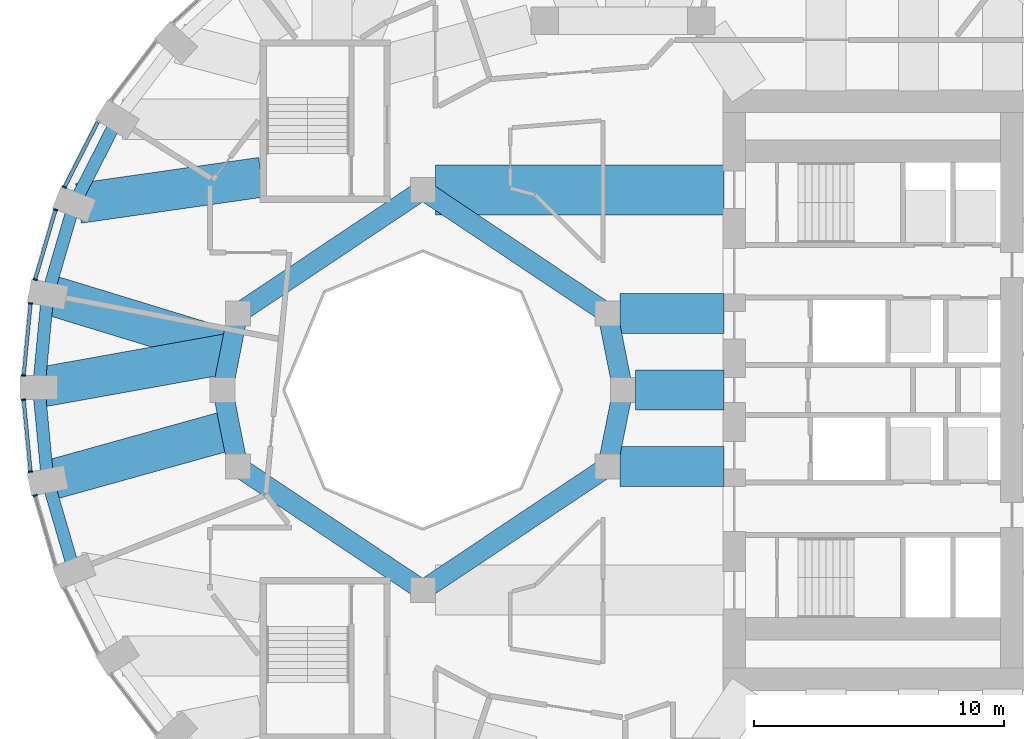
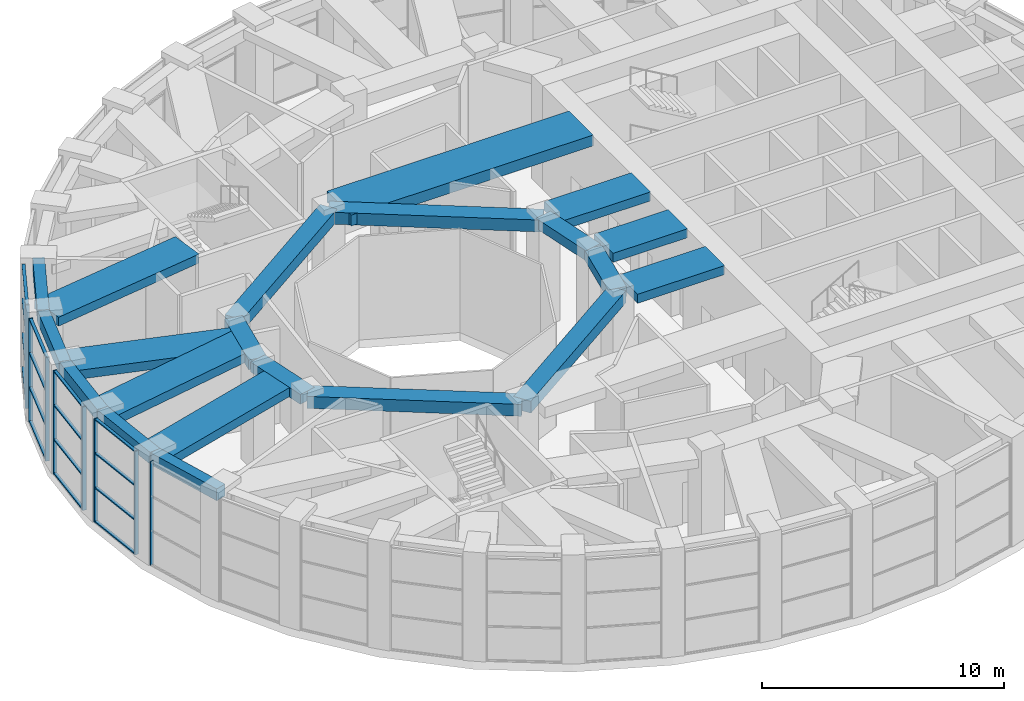
# One storey, part 4 of 17: 24 members, 21 beams, 5 elements without a shape of their own.
"""IFC4 building model written with IfcOpenShell, lengths in metres."""

from ifc_helpers import new_model, si_unit, direction, frame, origin, origin_2d, place, context, subcontext, project, spatial, rectangle, extrude, material, material_profile, profile_set, type_object, element, aggregate, save


model = new_model("IFC4")

# Units and contexts
model_context = context("Model", 3, precision=1e-05, world=origin(), true_north=direction((0.0, 1.0)))
body_context = subcontext(model_context, "Body", "Model", "MODEL_VIEW")
ifc_project = project(units=[si_unit("LENGTHUNIT", "METRE"), si_unit("AREAUNIT", "SQUARE_METRE"), si_unit("VOLUMEUNIT", "CUBIC_METRE"), si_unit("PLANEANGLEUNIT", "RADIAN"), si_unit("MASSUNIT", "GRAM", prefix="KILO")], contexts=[model_context])

# Site, building, storey
site_placement = place(None, origin())
site = spatial("IfcSite", under=ifc_project, at=site_placement, CompositionType="ELEMENT")
building_placement = place(site_placement, origin())
building = spatial("IfcBuilding", under=site, at=building_placement, Name="Taillehof Tower", CompositionType="ELEMENT")
storey_placement = place(building_placement, frame((0.0, 0.0, 139.60009765625)))
storey = spatial("IfcBuildingStorey", under=building, at=storey_placement, Name="L39", CompositionType="ELEMENT", Elevation=139.60009765625)

# Beams
ifc_material_1 = material(Name="Concrete C50/60", Category="concrete")
ifc_material_profile_1 = material_profile(ifc_material_1, rectangle(XDim=0.800048828125, YDim=0.5, at=origin_2d()), Name="RC 800x500")
ifc_profile_set_1 = profile_set([ifc_material_profile_1], Name="Concrete C50/60")
beam_type_1 = type_object("IfcBeamType", Name="Atrium ring beam C50/60 800x500", PredefinedType="BEAM", material=ifc_profile_set_1)
for number, where, z_axis, x_axis, name in (
    (1, (0.0, 0.0, 4.969970703125), (-0.195063155143, 0.980790683839, 0.0), (-0.980790683839, -0.195063155143, 0.0), "Atrium ring beam AB01"),
    (2, (-15.39111328125, 3.0615234375, 4.969970703125), (-0.195063155143, -0.980790683839, 0.0), (0.980790683839, -0.195063155143, 0.0), "Atrium ring beam AB04"),
    (3, (-16.0, 0.0, 4.969970703125), (0.195063155143, -0.980790683839, 0.0), (0.980790683839, 0.195063155143, 0.0), "Atrium ring beam AB05"),
    (4, (-0.60888671875, -3.0615234375, 4.969970703125), (0.195063155143, 0.980790683839, 0.0), (-0.980790683839, 0.195063155143, 0.0), "Atrium ring beam AB08"),
):
    element("IfcBeam", number, at=place(storey_placement, frame(where, z_axis=z_axis, x_axis=x_axis)), inside=storey, type_object=beam_type_1, Name=name, PredefinedType="BEAM", context=body_context, shape_type="SweptSolid", body=[
        extrude(rectangle(XDim=0.800048828125, YDim=0.5, at=origin_2d()), origin(), (0.0, 0.0, 1.0), 3.12158203125),
    ])
ifc_material_2 = material(Name="Concrete C50/60", Category="concrete")
ifc_material_profile_2 = material_profile(ifc_material_2, rectangle(XDim=0.800048828125, YDim=0.60009765625, at=origin_2d()), Name="RC 800x600")
ifc_profile_set_2 = profile_set([ifc_material_profile_2], Name="Concrete C50/60")
beam_type_2 = type_object("IfcBeamType", Name="Atrium ring beam C50/60 800x600", PredefinedType="BEAM", material=ifc_profile_set_2)
for number, where, z_axis, x_axis, name in (
    (5, (-0.60888671875, 3.0615234375, 4.919921875), (-0.831475195687, 0.555561876804, 0.0), (-0.555561876804, -0.831475195687, 0.0), "Atrium ring beam AB02"),
    (6, (-8.0, 8.0, 4.919921875), (-0.831475195687, -0.555561876804, 0.0), (0.555561876804, -0.831475195687, 0.0), "Atrium ring beam AB03"),
    (7, (-15.39111328125, -3.0615234375, 4.919921875), (0.831475195687, -0.555561876804, 0.0), (0.555561876804, 0.831475195687, 0.0), "Atrium ring beam AB06"),
    (8, (-8.0, -8.0, 4.919921875), (0.831475195687, 0.555561876804, 0.0), (-0.555561876804, 0.831475195687, 0.0), "Atrium ring beam AB07"),
):
    element("IfcBeam", number, at=place(storey_placement, frame(where, z_axis=z_axis, x_axis=x_axis)), inside=storey, type_object=beam_type_2, Name=name, PredefinedType="BEAM", context=body_context, shape_type="SweptSolid", body=[
        extrude(rectangle(XDim=0.800048828125, YDim=0.60009765625, at=origin_2d()), origin(), (0.0, 0.0, 1.0), 8.88916015625),
    ])
ifc_material_3 = material(Name="Concrete C50/60", Category="concrete")
ifc_material_profile_3 = material_profile(ifc_material_3, rectangle(XDim=1.60009765625, YDim=0.449951171875, at=origin_2d()), Name="RC 1600x450")
ifc_profile_set_3 = profile_set([ifc_material_profile_3], Name="Concrete C50/60")
beam_type_3 = type_object("IfcBeamType", Name="Radial band beam C50/60 1600x450", PredefinedType="BEAM", material=ifc_profile_set_3)
beam_1_placement = place(storey_placement, frame((-21.766845703125, 7.46044921875, 4.994873046875), z_axis=(0.989922388732, 0.141610961042, 0.0), x_axis=(-0.141610961042, 0.989922388732, 0.0)))
element("IfcBeam", 9, at=beam_1_placement, inside=storey, type_object=beam_type_3, Name="Radial band beam RB17", PredefinedType="BEAM", context=body_context, shape_type="SweptSolid", body=[
    extrude(rectangle(XDim=1.60009765625, YDim=0.449951171875, at=origin_2d()), origin(), (0.0, 0.0, 1.0), 7.390869140625),
])
beam_2_placement = place(storey_placement, frame((-22.99365234375, 3.82470703125, 4.994873046875), z_axis=(0.956324293447, -0.292307792854, 0.0), x_axis=(0.292307792854, 0.956324293447, 0.0)))
element("IfcBeam", 10, at=beam_2_placement, inside=storey, type_object=beam_type_3, Name="Radial band beam RB18", PredefinedType="BEAM", context=body_context, shape_type="SweptSolid", body=[
    extrude(rectangle(XDim=1.60009765625, YDim=0.449951171875, at=origin_2d()), origin(), (0.0, 0.0, 1.0), 7.643798828125),
])
beam_3_placement = place(storey_placement, frame((-23.35009765625, 0.10009765625, 4.994873046875), z_axis=(0.984286763882, 0.176577366745, 0.0), x_axis=(-0.176577366745, 0.984286763882, 0.0)))
element("IfcBeam", 11, at=beam_3_placement, inside=storey, type_object=beam_type_3, Name="Radial band beam RB19", PredefinedType="BEAM", context=body_context, shape_type="SweptSolid", body=[
    extrude(rectangle(XDim=1.60009765625, YDim=0.449951171875, at=origin_2d()), origin(), (0.0, 0.0, 1.0), 7.764892578125),
])
beam_4_placement = place(storey_placement, frame((-22.99365234375, -3.624755859375, 4.994873046875), z_axis=(0.96338688135, 0.268115118639, 0.0), x_axis=(-0.268115118639, 0.96338688135, 0.0)))
element("IfcBeam", 12, at=beam_4_placement, inside=storey, type_object=beam_type_3, Name="Radial band beam RB20", PredefinedType="BEAM", context=body_context, shape_type="SweptSolid", body=[
    extrude(rectangle(XDim=1.60009765625, YDim=0.449951171875, at=origin_2d()), origin(), (0.0, 0.0, 1.0), 7.587890625),
])
beam_5_placement = place(storey_placement, frame((0.5, 0.0, 4.994873046875), z_axis=(1.0, 0.0, 0.0), x_axis=(0.0, 1.0, 0.0)))
element("IfcBeam", 13, at=beam_5_placement, inside=storey, type_object=beam_type_3, Name="Inner band beam IB101", PredefinedType="BEAM", context=body_context, shape_type="SweptSolid", body=[
    extrude(rectangle(XDim=1.60009765625, YDim=0.449951171875, at=origin_2d()), origin(), (0.0, 0.0, 1.0), 3.550048828125),
])
for number, where, z_axis, x_axis, name in (
    (14, (-0.10888671875, 3.0615234375, 4.994873046875), (1.0, 0.0, 0.0), (0.0, 1.0, 0.0), "Inner band beam IB102"),
    (15, (-0.10888671875, -3.0615234375, 4.994873046875), (1.0, 0.0, 0.0), (0.0, 1.0, 0.0), "Inner band beam IB116"),
):
    element("IfcBeam", number, at=place(storey_placement, frame(where, z_axis=z_axis, x_axis=x_axis)), inside=storey, type_object=beam_type_3, Name=name, PredefinedType="BEAM", context=body_context, shape_type="SweptSolid", body=[
        extrude(rectangle(XDim=1.60009765625, YDim=0.449951171875, at=origin_2d()), origin(), (0.0, 0.0, 1.0), 4.158935546875),
    ])
ifc_material_4 = material(Name="Concrete C50/60", Category="concrete")
ifc_material_profile_4 = material_profile(ifc_material_4, rectangle(XDim=2.0, YDim=0.550048828125, at=origin_2d()), Name="RC 2000x550")
ifc_profile_set_4 = profile_set([ifc_material_profile_4], Name="Concrete C50/60")
beam_type_4 = type_object("IfcBeamType", Name="Radial band beam C50/60 2000x550", PredefinedType="BEAM", material=ifc_profile_set_4)
beam_6_placement = place(storey_placement, frame((-7.5, 8.0, 4.94482421875), z_axis=(1.0, 0.0, 0.0), x_axis=(0.0, 1.0, 0.0)))
element("IfcBeam", 16, at=beam_6_placement, inside=storey, type_object=beam_type_4, Name="Inner band beam IB105", PredefinedType="BEAM", context=body_context, shape_type="SweptSolid", body=[
    extrude(rectangle(XDim=2.0, YDim=0.550048828125, at=origin_2d()), origin(), (0.0, 0.0, 1.0), 11.550048828125),
])

# Curtain wall, member
ifc_material_5 = material(Name="Aluminium curtain wall with Clear low-emissivity double glazing", Category="aluminium")
curtain_wall_type = type_object("IfcCurtainWallType", Name="Sky lobby curtain wall", PredefinedType="USERDEFINED", material=ifc_material_5)
curtain_wall_1_placement = place(storey_placement, origin())
curtain_wall_1 = element("IfcCurtainWall", 17, at=curtain_wall_1_placement, inside=storey, type_object=curtain_wall_type, Name="Sky lobby L39 bay 16", ObjectType="WINDOW WALL", PredefinedType="USERDEFINED")
ifc_material_6 = material(Name="Aluminium mullion", Category="aluminium")
ifc_material_profile_5 = material_profile(ifc_material_6, rectangle(XDim=0.179931640625, YDim=0.06005859375, at=origin_2d()), Name="AL 60x180")
ifc_profile_set_5 = profile_set([ifc_material_profile_5], Name="Aluminium mullion")
member_type_1 = type_object("IfcMemberType", Name="Sky lobby mullion 60x180", PredefinedType="MULLION", material=ifc_profile_set_5)
member_1_placement = place(storey_placement, frame((-22.318359375, 8.10986328125, 0.0), z_axis=(0.0, 0.0, 1.0), x_axis=(0.890939920431, -0.454121193276, 0.0)))
member_1 = element("IfcMember", 18, at=member_1_placement, type_object=member_type_1, Name="CT3C16 mullion 2", PredefinedType="MULLION", context=body_context, shape_type="SweptSolid", body=[
    extrude(rectangle(XDim=0.179931640625, YDim=0.06005859375, at=origin_2d()), origin(), (0.0, 0.0, 1.0), 5.219970703125),
])

# Curtain wall, members
curtain_wall_2_placement = place(storey_placement, origin())
curtain_wall_2 = element("IfcCurtainWall", 19, at=curtain_wall_2_placement, inside=storey, type_object=curtain_wall_type, Name="Sky lobby L39 bay 17", ObjectType="WINDOW WALL", PredefinedType="USERDEFINED")
member_2_placement = place(storey_placement, frame((-22.676513671875, 7.20849609375, 0.0), z_axis=(0.0, 0.0, 1.0), x_axis=(0.959684454665, -0.281079610563, 0.0)))
member_2 = element("IfcMember", 20, at=member_2_placement, type_object=member_type_1, Name="CT3C17 mullion 1", PredefinedType="MULLION", context=body_context, shape_type="SweptSolid", body=[
    extrude(rectangle(XDim=0.179931640625, YDim=0.06005859375, at=origin_2d()), origin(), (0.0, 0.0, 1.0), 5.219970703125),
])
member_3_placement = place(storey_placement, frame((-23.49462890625, 4.414794921875, 0.0), z_axis=(0.0, 0.0, 1.0), x_axis=(0.959684454665, -0.281079610563, 0.0)))
member_3 = element("IfcMember", 21, at=member_3_placement, type_object=member_type_1, Name="CT3C17 mullion 2", PredefinedType="MULLION", context=body_context, shape_type="SweptSolid", body=[
    extrude(rectangle(XDim=0.179931640625, YDim=0.06005859375, at=origin_2d()), origin(), (0.0, 0.0, 1.0), 5.219970703125),
])

curtain_wall_3_placement = place(storey_placement, origin())
curtain_wall_3 = element("IfcCurtainWall", 22, at=curtain_wall_3_placement, inside=storey, type_object=curtain_wall_type, Name="Sky lobby L39 bay 18", ObjectType="WINDOW WALL", PredefinedType="USERDEFINED")
member_4_placement = place(storey_placement, frame((-23.677978515625, 3.46240234375, 0.0), z_axis=(0.0, 0.0, 1.0), x_axis=(0.995458478328, -0.095196732748, 0.0)))
member_4 = element("IfcMember", 23, at=member_4_placement, type_object=member_type_1, Name="CT3C18 mullion 1", PredefinedType="MULLION", context=body_context, shape_type="SweptSolid", body=[
    extrude(rectangle(XDim=0.179931640625, YDim=0.06005859375, at=origin_2d()), origin(), (0.0, 0.0, 1.0), 5.219970703125),
])
member_5_placement = place(storey_placement, frame((-23.953125, 0.5849609375, 0.0), z_axis=(0.0, 0.0, 1.0), x_axis=(0.995458478328, -0.095196732748, 0.0)))
member_5 = element("IfcMember", 24, at=member_5_placement, type_object=member_type_1, Name="CT3C18 mullion 2", PredefinedType="MULLION", context=body_context, shape_type="SweptSolid", body=[
    extrude(rectangle(XDim=0.179931640625, YDim=0.06005859375, at=origin_2d()), origin(), (0.0, 0.0, 1.0), 5.219970703125),
])

curtain_wall_4_placement = place(storey_placement, origin())
curtain_wall_4 = element("IfcCurtainWall", 25, at=curtain_wall_4_placement, inside=storey, type_object=curtain_wall_type, Name="Sky lobby L39 bay 19", ObjectType="WINDOW WALL", PredefinedType="USERDEFINED")
member_6_placement = place(storey_placement, frame((-23.953125, -0.385009765625, 0.0), z_axis=(0.0, 0.0, 1.0), x_axis=(0.995458478328, 0.095196732748, 0.0)))
member_6 = element("IfcMember", 26, at=member_6_placement, type_object=member_type_1, Name="CT3C19 mullion 1", PredefinedType="MULLION", context=body_context, shape_type="SweptSolid", body=[
    extrude(rectangle(XDim=0.179931640625, YDim=0.06005859375, at=origin_2d()), origin(), (0.0, 0.0, 1.0), 5.219970703125),
])
member_7_placement = place(storey_placement, frame((-23.677978515625, -3.262451171875, 0.0), z_axis=(0.0, 0.0, 1.0), x_axis=(0.995458478328, 0.095196732748, 0.0)))
member_7 = element("IfcMember", 27, at=member_7_placement, type_object=member_type_1, Name="CT3C19 mullion 2", PredefinedType="MULLION", context=body_context, shape_type="SweptSolid", body=[
    extrude(rectangle(XDim=0.179931640625, YDim=0.06005859375, at=origin_2d()), origin(), (0.0, 0.0, 1.0), 5.219970703125),
])

# Curtain wall, member
curtain_wall_5_placement = place(storey_placement, origin())
curtain_wall_5 = element("IfcCurtainWall", 28, at=curtain_wall_5_placement, inside=storey, type_object=curtain_wall_type, Name="Sky lobby L39 bay 20", ObjectType="WINDOW WALL", PredefinedType="USERDEFINED")
member_8_placement = place(storey_placement, frame((-23.49462890625, -4.21484375, 0.0), z_axis=(0.0, 0.0, 1.0), x_axis=(0.959684454665, 0.281079610563, 0.0)))
member_8 = element("IfcMember", 29, at=member_8_placement, type_object=member_type_1, Name="CT3C20 mullion 1", PredefinedType="MULLION", context=body_context, shape_type="SweptSolid", body=[
    extrude(rectangle(XDim=0.179931640625, YDim=0.06005859375, at=origin_2d()), origin(), (0.0, 0.0, 1.0), 5.219970703125),
])
aggregate(curtain_wall_5, [member_8])

# Member
ifc_material_7 = material(Name="Aluminium transom", Category="aluminium")
ifc_material_profile_6 = material_profile(ifc_material_7, rectangle(XDim=0.139892578125, YDim=0.06005859375, at=origin_2d()), Name="AL 140x60")
ifc_profile_set_6 = profile_set([ifc_material_profile_6], Name="Aluminium transom")
member_type_2 = type_object("IfcMemberType", Name="Sky lobby transom 140x60", PredefinedType="USERDEFINED", material=ifc_profile_set_6)
member_9_placement = place(storey_placement, frame((-20.992919921875, 10.71044921875, 0.02978515625), z_axis=(-0.454062498764, -0.890969835189, 0.0), x_axis=(0.890969835189, -0.454062498764, 0.0)))
member_9 = element("IfcMember", 30, at=member_9_placement, type_object=member_type_2, Name="CT3C16 transom 1.1", ObjectType="TRANSOM", PredefinedType="USERDEFINED", context=body_context, shape_type="SweptSolid", body=[
    extrude(rectangle(XDim=0.139892578125, YDim=0.06005859375, at=origin_2d()), origin(), (0.0, 0.0, 1.0), 2.888916015625),
])

member_10_placement = place(storey_placement, frame((-20.992919921875, 10.71044921875, 1.739990234375), z_axis=(-0.454062498764, -0.890969835189, 0.0), x_axis=(0.890969835189, -0.454062498764, 0.0)))
member_10 = element("IfcMember", 31, at=member_10_placement, type_object=member_type_2, Name="CT3C16 transom 1.2", ObjectType="TRANSOM", PredefinedType="USERDEFINED", context=body_context, shape_type="SweptSolid", body=[
    extrude(rectangle(XDim=0.139892578125, YDim=0.06005859375, at=origin_2d()), origin(), (0.0, 0.0, 1.0), 2.888916015625),
])

member_11_placement = place(storey_placement, frame((-20.992919921875, 10.71044921875, 3.47998046875), z_axis=(-0.454062498764, -0.890969835189, 0.0), x_axis=(0.890969835189, -0.454062498764, 0.0)))
member_11 = element("IfcMember", 32, at=member_11_placement, type_object=member_type_2, Name="CT3C16 transom 1.3", ObjectType="TRANSOM", PredefinedType="USERDEFINED", context=body_context, shape_type="SweptSolid", body=[
    extrude(rectangle(XDim=0.139892578125, YDim=0.06005859375, at=origin_2d()), origin(), (0.0, 0.0, 1.0), 2.888916015625),
])

member_12_placement = place(storey_placement, frame((-20.992919921875, 10.71044921875, 5.18994140625), z_axis=(-0.454062498764, -0.890969835189, 0.0), x_axis=(0.890969835189, -0.454062498764, 0.0)))
member_12 = element("IfcMember", 33, at=member_12_placement, type_object=member_type_2, Name="CT3C16 transom 1.4", ObjectType="TRANSOM", PredefinedType="USERDEFINED", context=body_context, shape_type="SweptSolid", body=[
    extrude(rectangle(XDim=0.139892578125, YDim=0.06005859375, at=origin_2d()), origin(), (0.0, 0.0, 1.0), 2.888916015625),
])

aggregate(curtain_wall_1, [member_1, member_9, member_10, member_11, member_12])

member_13_placement = place(storey_placement, frame((-22.684814453125, 7.1796875, 0.02978515625), z_axis=(-0.281127674203, -0.959670376117, 0.0), x_axis=(0.959670376117, -0.281127674203, 0.0)))
member_13 = element("IfcMember", 34, at=member_13_placement, type_object=member_type_2, Name="CT3C17 transom 1.1", ObjectType="TRANSOM", PredefinedType="USERDEFINED", context=body_context, shape_type="SweptSolid", body=[
    extrude(rectangle(XDim=0.139892578125, YDim=0.06005859375, at=origin_2d()), origin(), (0.0, 0.0, 1.0), 2.85107421875),
])

member_14_placement = place(storey_placement, frame((-22.684814453125, 7.1796875, 1.739990234375), z_axis=(-0.281127674203, -0.959670376117, 0.0), x_axis=(0.959670376117, -0.281127674203, 0.0)))
member_14 = element("IfcMember", 35, at=member_14_placement, type_object=member_type_2, Name="CT3C17 transom 1.2", ObjectType="TRANSOM", PredefinedType="USERDEFINED", context=body_context, shape_type="SweptSolid", body=[
    extrude(rectangle(XDim=0.139892578125, YDim=0.06005859375, at=origin_2d()), origin(), (0.0, 0.0, 1.0), 2.85107421875),
])

member_15_placement = place(storey_placement, frame((-22.684814453125, 7.1796875, 3.47998046875), z_axis=(-0.281127674203, -0.959670376117, 0.0), x_axis=(0.959670376117, -0.281127674203, 0.0)))
member_15 = element("IfcMember", 36, at=member_15_placement, type_object=member_type_2, Name="CT3C17 transom 1.3", ObjectType="TRANSOM", PredefinedType="USERDEFINED", context=body_context, shape_type="SweptSolid", body=[
    extrude(rectangle(XDim=0.139892578125, YDim=0.06005859375, at=origin_2d()), origin(), (0.0, 0.0, 1.0), 2.85107421875),
])

member_16_placement = place(storey_placement, frame((-22.684814453125, 7.1796875, 5.18994140625), z_axis=(-0.281127674203, -0.959670376117, 0.0), x_axis=(0.959670376117, -0.281127674203, 0.0)))
member_16 = element("IfcMember", 37, at=member_16_placement, type_object=member_type_2, Name="CT3C17 transom 1.4", ObjectType="TRANSOM", PredefinedType="USERDEFINED", context=body_context, shape_type="SweptSolid", body=[
    extrude(rectangle(XDim=0.139892578125, YDim=0.06005859375, at=origin_2d()), origin(), (0.0, 0.0, 1.0), 2.85107421875),
])

aggregate(curtain_wall_2, [member_2, member_3, member_13, member_14, member_15, member_16])

member_17_placement = place(storey_placement, frame((-23.680908203125, 3.4326171875, 0.02978515625), z_axis=(-0.095130624873, -0.995464798077, 0.0), x_axis=(0.995464798077, -0.095130624873, 0.0)))
member_17 = element("IfcMember", 38, at=member_17_placement, type_object=member_type_2, Name="CT3C18 transom 1.1", ObjectType="TRANSOM", PredefinedType="USERDEFINED", context=body_context, shape_type="SweptSolid", body=[
    extrude(rectangle(XDim=0.139892578125, YDim=0.06005859375, at=origin_2d()), origin(), (0.0, 0.0, 1.0), 2.830810546875),
])

member_18_placement = place(storey_placement, frame((-23.680908203125, 3.4326171875, 1.739990234375), z_axis=(-0.095130624873, -0.995464798077, 0.0), x_axis=(0.995464798077, -0.095130624873, 0.0)))
member_18 = element("IfcMember", 39, at=member_18_placement, type_object=member_type_2, Name="CT3C18 transom 1.2", ObjectType="TRANSOM", PredefinedType="USERDEFINED", context=body_context, shape_type="SweptSolid", body=[
    extrude(rectangle(XDim=0.139892578125, YDim=0.06005859375, at=origin_2d()), origin(), (0.0, 0.0, 1.0), 2.830810546875),
])

member_19_placement = place(storey_placement, frame((-23.680908203125, 3.4326171875, 3.47998046875), z_axis=(-0.095130624873, -0.995464798077, 0.0), x_axis=(0.995464798077, -0.095130624873, 0.0)))
member_19 = element("IfcMember", 40, at=member_19_placement, type_object=member_type_2, Name="CT3C18 transom 1.3", ObjectType="TRANSOM", PredefinedType="USERDEFINED", context=body_context, shape_type="SweptSolid", body=[
    extrude(rectangle(XDim=0.139892578125, YDim=0.06005859375, at=origin_2d()), origin(), (0.0, 0.0, 1.0), 2.830810546875),
])

member_20_placement = place(storey_placement, frame((-23.680908203125, 3.4326171875, 5.18994140625), z_axis=(-0.095130624873, -0.995464798077, 0.0), x_axis=(0.995464798077, -0.095130624873, 0.0)))
member_20 = element("IfcMember", 41, at=member_20_placement, type_object=member_type_2, Name="CT3C18 transom 1.4", ObjectType="TRANSOM", PredefinedType="USERDEFINED", context=body_context, shape_type="SweptSolid", body=[
    extrude(rectangle(XDim=0.139892578125, YDim=0.06005859375, at=origin_2d()), origin(), (0.0, 0.0, 1.0), 2.830810546875),
])

aggregate(curtain_wall_3, [member_4, member_5, member_17, member_18, member_19, member_20])

member_21_placement = place(storey_placement, frame((-23.9501953125, -0.414794921875, 0.02978515625), z_axis=(0.095130624873, -0.995464798077, 0.0), x_axis=(0.995464798077, 0.095130624873, 0.0)))
member_21 = element("IfcMember", 42, at=member_21_placement, type_object=member_type_2, Name="CT3C19 transom 1.1", ObjectType="TRANSOM", PredefinedType="USERDEFINED", context=body_context, shape_type="SweptSolid", body=[
    extrude(rectangle(XDim=0.139892578125, YDim=0.06005859375, at=origin_2d()), origin(), (0.0, 0.0, 1.0), 2.830810546875),
])

member_22_placement = place(storey_placement, frame((-23.9501953125, -0.414794921875, 1.739990234375), z_axis=(0.095130624873, -0.995464798077, 0.0), x_axis=(0.995464798077, 0.095130624873, 0.0)))
member_22 = element("IfcMember", 43, at=member_22_placement, type_object=member_type_2, Name="CT3C19 transom 1.2", ObjectType="TRANSOM", PredefinedType="USERDEFINED", context=body_context, shape_type="SweptSolid", body=[
    extrude(rectangle(XDim=0.139892578125, YDim=0.06005859375, at=origin_2d()), origin(), (0.0, 0.0, 1.0), 2.830810546875),
])

member_23_placement = place(storey_placement, frame((-23.9501953125, -0.414794921875, 3.47998046875), z_axis=(0.095130624873, -0.995464798077, 0.0), x_axis=(0.995464798077, 0.095130624873, 0.0)))
member_23 = element("IfcMember", 44, at=member_23_placement, type_object=member_type_2, Name="CT3C19 transom 1.3", ObjectType="TRANSOM", PredefinedType="USERDEFINED", context=body_context, shape_type="SweptSolid", body=[
    extrude(rectangle(XDim=0.139892578125, YDim=0.06005859375, at=origin_2d()), origin(), (0.0, 0.0, 1.0), 2.830810546875),
])

member_24_placement = place(storey_placement, frame((-23.9501953125, -0.414794921875, 5.18994140625), z_axis=(0.095130624873, -0.995464798077, 0.0), x_axis=(0.995464798077, 0.095130624873, 0.0)))
member_24 = element("IfcMember", 45, at=member_24_placement, type_object=member_type_2, Name="CT3C19 transom 1.4", ObjectType="TRANSOM", PredefinedType="USERDEFINED", context=body_context, shape_type="SweptSolid", body=[
    extrude(rectangle(XDim=0.139892578125, YDim=0.06005859375, at=origin_2d()), origin(), (0.0, 0.0, 1.0), 2.830810546875),
])

aggregate(curtain_wall_4, [member_6, member_7, member_21, member_22, member_23, member_24])

# Beams
ifc_material_8 = material(Name="Concrete C50/60", Category="concrete")
ifc_material_profile_7 = material_profile(ifc_material_8, rectangle(XDim=0.5, YDim=0.60009765625, at=origin_2d()), Name="RC 500x600")
ifc_profile_set_7 = profile_set([ifc_material_profile_7], Name="Concrete C50/60")
beam_type_5 = type_object("IfcBeamType", Name="Spandrel beam C50/60 500x600", PredefinedType="SPANDREL", material=ifc_profile_set_7)
beam_7_placement = place(storey_placement, frame((-20.208251953125, 10.824951171875, 4.919921875), z_axis=(-0.454183451696, -0.890908183937, 0.0), x_axis=(0.890908183937, -0.454183451696, 0.0)))
element("IfcBeam", 46, at=beam_7_placement, inside=storey, type_object=beam_type_5, Name="Spandrel beam SB16", PredefinedType="SPANDREL", context=body_context, shape_type="SweptSolid", body=[
    extrude(rectangle(XDim=0.5, YDim=0.60009765625, at=origin_2d()), origin(), (0.0, 0.0, 1.0), 3.8037109375),
])
beam_8_placement = place(storey_placement, frame((-21.935791015625, 7.436279296875, 4.919921875), z_axis=(-0.281098416478, -0.959678946447, 0.0), x_axis=(0.959678946447, -0.281098416478, 0.0)))
element("IfcBeam", 47, at=beam_8_placement, inside=storey, type_object=beam_type_5, Name="Spandrel beam SB17", PredefinedType="SPANDREL", context=body_context, shape_type="SweptSolid", body=[
    extrude(rectangle(XDim=0.5, YDim=0.60009765625, at=origin_2d()), origin(), (0.0, 0.0, 1.0), 3.763427734375),
])
beam_9_placement = place(storey_placement, frame((-22.99365234375, 3.82470703125, 4.919921875), z_axis=(-0.095264805358, -0.995451966124, 0.0), x_axis=(0.995451966124, -0.095264805358, 0.0)))
element("IfcBeam", 48, at=beam_9_placement, inside=storey, type_object=beam_type_5, Name="Spandrel beam SB18", PredefinedType="SPANDREL", context=body_context, shape_type="SweptSolid", body=[
    extrude(rectangle(XDim=0.5, YDim=0.60009765625, at=origin_2d()), origin(), (0.0, 0.0, 1.0), 3.74169921875),
])
beam_10_placement = place(storey_placement, frame((-23.35009765625, 0.10009765625, 4.919921875), z_axis=(0.095258618013, -0.995452558234, 0.0), x_axis=(0.995452558234, 0.095258618013, 0.0)))
element("IfcBeam", 49, at=beam_10_placement, inside=storey, type_object=beam_type_5, Name="Spandrel beam SB19", PredefinedType="SPANDREL", context=body_context, shape_type="SweptSolid", body=[
    extrude(rectangle(XDim=0.5, YDim=0.60009765625, at=origin_2d()), origin(), (0.0, 0.0, 1.0), 3.741943359375),
])
beam_11_placement = place(storey_placement, frame((-22.99365234375, -3.624755859375, 4.919921875), z_axis=(0.281098416478, -0.959678946447, 0.0), x_axis=(0.959678946447, 0.281098416478, 0.0)))
element("IfcBeam", 50, at=beam_11_placement, inside=storey, type_object=beam_type_5, Name="Spandrel beam SB20", PredefinedType="SPANDREL", context=body_context, shape_type="SweptSolid", body=[
    extrude(rectangle(XDim=0.5, YDim=0.60009765625, at=origin_2d()), origin(), (0.0, 0.0, 1.0), 3.763427734375),
])

save(model, "model.ifc")
